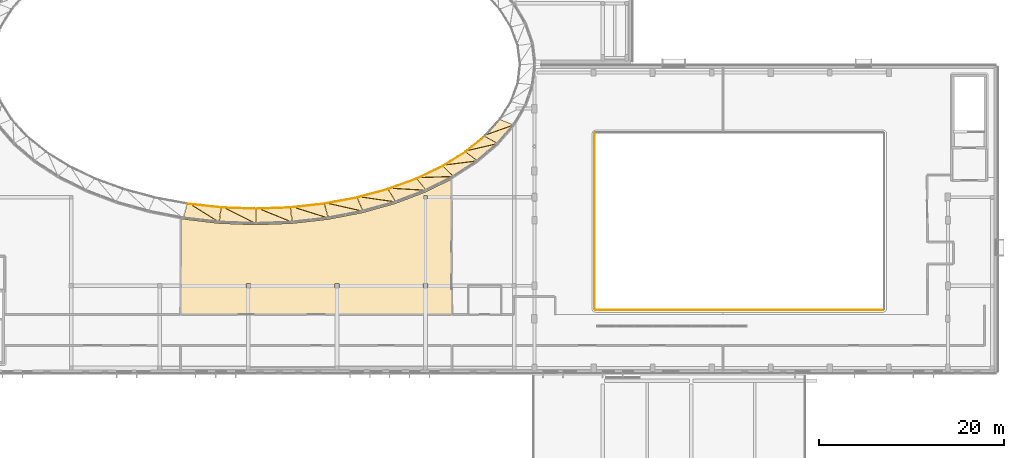
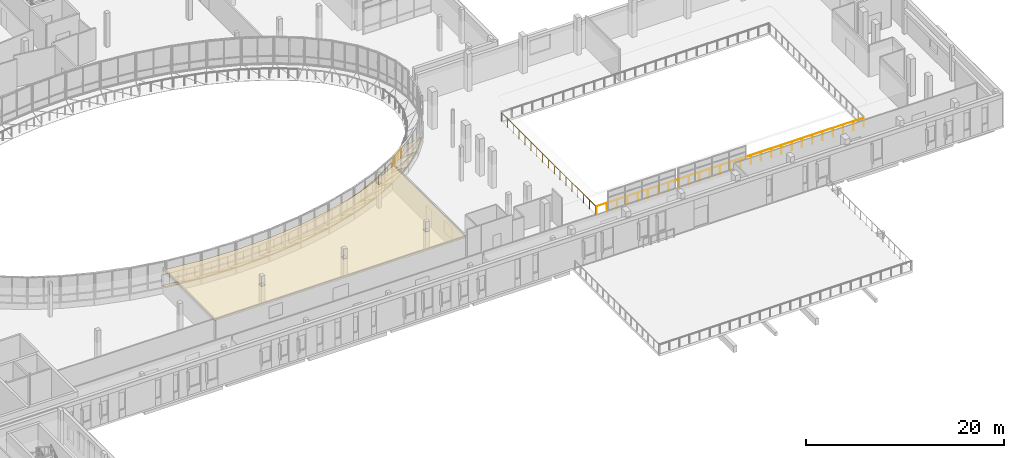
# One storey, part 61 of 73: 23 coverings, 12 railings.
"""IFC4 building model written with IfcOpenShell, lengths in metres."""

from ifc_helpers import new_model, si_unit, direction, frame, origin, origin_2d, place, context, subcontext, project, spatial, polyline, circle, outline, extrude, material, layer, layer_set, type_object, element, save


model = new_model("IFC4")

# Units and contexts
model_context = context("Model", 3, precision=1e-05, world=origin(), true_north=direction((0.0, 1.0)))
body_context = subcontext(model_context, "Body", "Model", "MODEL_VIEW")
ifc_project = project(units=[si_unit("LENGTHUNIT", "METRE"), si_unit("AREAUNIT", "SQUARE_METRE"), si_unit("VOLUMEUNIT", "CUBIC_METRE"), si_unit("PLANEANGLEUNIT", "RADIAN"), si_unit("MASSUNIT", "GRAM", prefix="KILO")], contexts=[model_context])

# Site, building, storey
site_placement = place(None, origin())
site = spatial("IfcSite", under=ifc_project, at=site_placement, CompositionType="ELEMENT")
building_placement = place(site_placement, origin())
building = spatial("IfcBuilding", under=site, at=building_placement, Name="Mzevani Central Library", CompositionType="ELEMENT")
storey_placement = place(building_placement, frame((0.0, 0.0, 9.60009765625)))
storey = spatial("IfcBuildingStorey", under=building, at=storey_placement, Name="L02", CompositionType="ELEMENT", Elevation=9.60009765625)

# Railings
ifc_material_1 = material(Name="Brushed stainless steel rail", Category="steel")
railing_type_1 = type_object("IfcRailingType", Name="Interior Gallery and Stair Guard 1100", PredefinedType="BALUSTRADE", material=ifc_material_1)
railing_1_placement = place(storey_placement, frame((152.0, 49.39990234375, 0.0)))
element("IfcRailing", 1, at=railing_1_placement, inside=storey, type_object=railing_type_1, Name="L02 V1 Double-Height Void Guard 5", PredefinedType="BALUSTRADE", context=body_context, shape_type="SweptSolid", body=[
    extrude(circle(Radius=0.02392578125, at=origin_2d()), frame((0.0, 0.0, 1.076171875), z_axis=(-1.0, 0.0, 0.0), x_axis=(0.0, -1.0, 0.0)), (0.0, 0.0, 1.0), 31.199951171875),
    extrude(circle(Radius=0.02099609375, at=origin_2d()), origin(), (0.0, 0.0, 1.0), 1.052001953125),
    extrude(circle(Radius=0.02099609375, at=origin_2d()), frame((-1.199951171875, 0.0, 0.0)), (0.0, 0.0, 1.0), 1.052001953125),
    extrude(circle(Radius=0.02099609375, at=origin_2d()), frame((-2.39990234375, 0.0, 0.0)), (0.0, 0.0, 1.0), 1.052001953125),
    extrude(circle(Radius=0.02099609375, at=origin_2d()), frame((-3.60009765625, 0.0, 0.0)), (0.0, 0.0, 1.0), 1.052001953125),
    extrude(circle(Radius=0.02099609375, at=origin_2d()), frame((-4.800048828125, 0.0, 0.0)), (0.0, 0.0, 1.0), 1.052001953125),
    extrude(circle(Radius=0.02099609375, at=origin_2d()), frame((-6.0, 0.0, 0.0)), (0.0, 0.0, 1.0), 1.052001953125),
    extrude(circle(Radius=0.02099609375, at=origin_2d()), frame((-7.199951171875, 0.0, 0.0)), (0.0, 0.0, 1.0), 1.052001953125),
    extrude(circle(Radius=0.02099609375, at=origin_2d()), frame((-8.39990234375, 0.0, 0.0)), (0.0, 0.0, 1.0), 1.052001953125),
    extrude(circle(Radius=0.02099609375, at=origin_2d()), frame((-9.60009765625, 0.0, 0.0)), (0.0, 0.0, 1.0), 1.052001953125),
    extrude(circle(Radius=0.02099609375, at=origin_2d()), frame((-10.800048828125, 0.0, 0.0)), (0.0, 0.0, 1.0), 1.052001953125),
    extrude(circle(Radius=0.02099609375, at=origin_2d()), frame((-12.0, 0.0, 0.0)), (0.0, 0.0, 1.0), 1.052001953125),
    extrude(circle(Radius=0.02099609375, at=origin_2d()), frame((-13.199951171875, 0.0, 0.0)), (0.0, 0.0, 1.0), 1.052001953125),
    extrude(circle(Radius=0.02099609375, at=origin_2d()), frame((-14.39990234375, 0.0, 0.0)), (0.0, 0.0, 1.0), 1.052001953125),
    extrude(circle(Radius=0.02099609375, at=origin_2d()), frame((-15.60009765625, 0.0, 0.0)), (0.0, 0.0, 1.0), 1.052001953125),
    extrude(circle(Radius=0.02099609375, at=origin_2d()), frame((-16.800048828125, 0.0, 0.0)), (0.0, 0.0, 1.0), 1.052001953125),
    extrude(circle(Radius=0.02099609375, at=origin_2d()), frame((-18.0, 0.0, 0.0)), (0.0, 0.0, 1.0), 1.052001953125),
    extrude(circle(Radius=0.02099609375, at=origin_2d()), frame((-19.199951171875, 0.0, 0.0)), (0.0, 0.0, 1.0), 1.052001953125),
    extrude(circle(Radius=0.02099609375, at=origin_2d()), frame((-20.39990234375, 0.0, 0.0)), (0.0, 0.0, 1.0), 1.052001953125),
    extrude(circle(Radius=0.02099609375, at=origin_2d()), frame((-21.599853515625, 0.0, 0.0)), (0.0, 0.0, 1.0), 1.052001953125),
    extrude(circle(Radius=0.02099609375, at=origin_2d()), frame((-22.800048828125, 0.0, 0.0)), (0.0, 0.0, 1.0), 1.052001953125),
    extrude(circle(Radius=0.02099609375, at=origin_2d()), frame((-24.0, 0.0, 0.0)), (0.0, 0.0, 1.0), 1.052001953125),
    extrude(circle(Radius=0.02099609375, at=origin_2d()), frame((-25.199951171875, 0.0, 0.0)), (0.0, 0.0, 1.0), 1.052001953125),
    extrude(circle(Radius=0.02099609375, at=origin_2d()), frame((-26.39990234375, 0.0, 0.0)), (0.0, 0.0, 1.0), 1.052001953125),
    extrude(circle(Radius=0.02099609375, at=origin_2d()), frame((-27.599853515625, 0.0, 0.0)), (0.0, 0.0, 1.0), 1.052001953125),
    extrude(circle(Radius=0.02099609375, at=origin_2d()), frame((-28.800048828125, 0.0, 0.0)), (0.0, 0.0, 1.0), 1.052001953125),
    extrude(circle(Radius=0.02099609375, at=origin_2d()), frame((-30.0, 0.0, 0.0)), (0.0, 0.0, 1.0), 1.052001953125),
    extrude(circle(Radius=0.02099609375, at=origin_2d()), frame((-31.199951171875, 0.0, 0.0)), (0.0, 0.0, 1.0), 1.052001953125),
])
railing_2_placement = place(storey_placement, frame((120.699951171875, 49.5, 0.0)))
element("IfcRailing", 2, at=railing_2_placement, inside=storey, type_object=railing_type_1, Name="L02 V1 Double-Height Void Guard 6", PredefinedType="BALUSTRADE", context=body_context, shape_type="SweptSolid", body=[
    extrude(circle(Radius=0.02392578125, at=origin_2d()), frame((0.0, 0.0, 1.076171875), z_axis=(0.0, 1.0, 0.0), x_axis=(-1.0, 0.0, 0.0)), (0.0, 0.0, 1.0), 19.0),
    extrude(circle(Radius=0.02099609375, at=origin_2d()), origin(), (0.0, 0.0, 1.0), 1.052001953125),
    extrude(circle(Radius=0.02099609375, at=origin_2d()), frame((0.0, 1.1875, 0.0)), (0.0, 0.0, 1.0), 1.052001953125),
    extrude(circle(Radius=0.02099609375, at=origin_2d()), frame((0.0, 2.375, 0.0)), (0.0, 0.0, 1.0), 1.052001953125),
    extrude(circle(Radius=0.02099609375, at=origin_2d()), frame((0.0, 3.5625, 0.0)), (0.0, 0.0, 1.0), 1.052001953125),
    extrude(circle(Radius=0.02099609375, at=origin_2d()), frame((0.0, 4.75, 0.0)), (0.0, 0.0, 1.0), 1.052001953125),
    extrude(circle(Radius=0.02099609375, at=origin_2d()), frame((0.0, 5.9375, 0.0)), (0.0, 0.0, 1.0), 1.052001953125),
    extrude(circle(Radius=0.02099609375, at=origin_2d()), frame((0.0, 7.125, 0.0)), (0.0, 0.0, 1.0), 1.052001953125),
    extrude(circle(Radius=0.02099609375, at=origin_2d()), frame((0.0, 8.3125, 0.0)), (0.0, 0.0, 1.0), 1.052001953125),
    extrude(circle(Radius=0.02099609375, at=origin_2d()), frame((0.0, 9.5, 0.0)), (0.0, 0.0, 1.0), 1.052001953125),
    extrude(circle(Radius=0.02099609375, at=origin_2d()), frame((0.0, 10.6875, 0.0)), (0.0, 0.0, 1.0), 1.052001953125),
    extrude(circle(Radius=0.02099609375, at=origin_2d()), frame((0.0, 11.875, 0.0)), (0.0, 0.0, 1.0), 1.052001953125),
    extrude(circle(Radius=0.02099609375, at=origin_2d()), frame((0.0, 13.0625, 0.0)), (0.0, 0.0, 1.0), 1.052001953125),
    extrude(circle(Radius=0.02099609375, at=origin_2d()), frame((0.0, 14.25, 0.0)), (0.0, 0.0, 1.0), 1.052001953125),
    extrude(circle(Radius=0.02099609375, at=origin_2d()), frame((0.0, 15.4375, 0.0)), (0.0, 0.0, 1.0), 1.052001953125),
    extrude(circle(Radius=0.02099609375, at=origin_2d()), frame((0.0, 16.625, 0.0)), (0.0, 0.0, 1.0), 1.052001953125),
    extrude(circle(Radius=0.02099609375, at=origin_2d()), frame((0.0, 17.8125, 0.0)), (0.0, 0.0, 1.0), 1.052001953125),
    extrude(circle(Radius=0.02099609375, at=origin_2d()), frame((0.0, 19.0, 0.0)), (0.0, 0.0, 1.0), 1.052001953125),
])

# Coverings
ifc_material_2 = material(Name="Limestone ashlar cladding", Category="masonry")
ifc_layer_1 = layer(ifc_material_2, 0.050048828125, Name="Limestone Ashlar Spandrel Cladding")
ifc_layer_set_1 = layer_set([ifc_layer_1], Name="Limestone ashlar cladding")
covering_type_1 = type_object("IfcCoveringType", Name="Limestone Ashlar Spandrel Cladding", PredefinedType="CLADDING", material=ifc_layer_set_1)
covering_1_placement = place(storey_placement, frame((76.6220703125, 61.03759765625, -0.280029296875), z_axis=(0.051957783757, 0.481294852268, 0.875017516332), x_axis=(0.994223391298, -0.107330555745, 0.0)))
element("IfcCovering", 3, at=covering_1_placement, inside=storey, type_object=covering_type_1, Name="L02 Curved Court Spandrel Apron 35A", PredefinedType="CLADDING", context=body_context, shape_type="SweptSolid", body=[
    extrude(outline(polyline([(0.0, 0.0), (3.664478807041149, 0.0), (3.593469884194453, -1.983016469628396), (0.0, 0.0)])), origin(), (0.0, 0.0, -1.0), 0.06005859375),
])
covering_2_placement = place(storey_placement, frame((76.6220703125, 61.03759765625, -0.280029296875), z_axis=(0.054665969462, 0.484706978945, 0.872966652481), x_axis=(0.825101574721, -0.514298047368, 0.23389080757)))
element("IfcCovering", 4, at=covering_2_placement, inside=storey, type_object=covering_type_1, Name="L02 Curved Court Spandrel Apron 35B", PredefinedType="CLADDING", context=body_context, shape_type="SweptSolid", body=[
    extrude(outline(polyline([(0.0, 0.0), (4.104312381804041, 0.0), (0.7053504058023538, -1.8572394826315783), (0.0, 0.0)])), origin(), (0.0, 0.0, -1.0), 0.06005859375),
])
covering_3_placement = place(storey_placement, frame((80.283447265625, 60.64013671875, -0.280029296875), z_axis=(0.017179902202, 0.483073398216, 0.875411299274), x_axis=(0.999368209041, -0.035541282461, 0.0)))
element("IfcCovering", 5, at=covering_3_placement, inside=storey, type_object=covering_type_1, Name="L02 Curved Court Spandrel Apron 36A", PredefinedType="CLADDING", context=body_context, shape_type="SweptSolid", body=[
    extrude(outline(polyline([(0.0, 0.0), (3.709374799463256, 0.0), (3.75434651541617, -1.9859392928717825), (0.0, 0.0)])), origin(), (0.0, 0.0, -1.0), 0.06005859375),
])
covering_4_placement = place(storey_placement, frame((80.283447265625, 60.64013671875, -0.280029296875), z_axis=(0.017997150296, 0.484322640256, 0.874704340173), x_axis=(0.868842586772, -0.44048565944, 0.22601978506)))
element("IfcCovering", 6, at=covering_4_placement, inside=storey, type_object=covering_type_1, Name="L02 Curved Court Spandrel Apron 36B", PredefinedType="CLADDING", context=body_context, shape_type="SweptSolid", body=[
    extrude(outline(polyline([(0.0, 0.0), (4.2472429448749, 2.220446049250313e-16), (0.7809598144390548, -1.8273806666917551), (0.0, 0.0)])), origin(), (0.0, 0.0, -1.0), 0.06005859375),
])
covering_5_placement = place(storey_placement, frame((84.009521484375, 60.50830078125, -0.280029296875), z_axis=(-0.017227300997, 0.484406182095, 0.874673579599), x_axis=(0.999368209041, 0.035541282461, 0.0)))
element("IfcCovering", 7, at=covering_5_placement, inside=storey, type_object=covering_type_1, Name="L02 Curved Court Spandrel Apron 37A", PredefinedType="CLADDING", context=body_context, shape_type="SweptSolid", body=[
    extrude(outline(polyline([(0.0, 0.0), (3.709374799463256, 0.0), (3.873497353663545, -1.9804752257905829), (0.0, 0.0)])), origin(), (0.0, 0.0, -1.0), 0.06005859375),
])
covering_6_placement = place(storey_placement, frame((84.009521484375, 60.50830078125, -0.280029296875), z_axis=(-0.017950273585, 0.483061137626, 0.875402607372), x_axis=(0.903960029422, -0.36628675888, 0.220658730798)))
element("IfcCovering", 8, at=covering_6_placement, inside=storey, type_object=covering_type_1, Name="L02 Curved Court Spandrel Apron 37B", PredefinedType="CLADDING", context=body_context, shape_type="SweptSolid", body=[
    extrude(outline(polyline([(0.0, 0.0), (4.35043260708734, 0.0), (0.8640292858951899, -1.7886952572540897), (0.0, 0.0)])), origin(), (0.0, 0.0, -1.0), 0.06005859375),
])
covering_7_placement = place(storey_placement, frame((87.734619140625, 60.644287109375, -0.280029296875), z_axis=(-0.052384233615, 0.485245138571, 0.872807566169), x_axis=(0.994223391298, 0.107330555745, 0.0)))
element("IfcCovering", 9, at=covering_7_placement, inside=storey, type_object=covering_type_1, Name="L02 Curved Court Spandrel Apron 38A", PredefinedType="CLADDING", context=body_context, shape_type="SweptSolid", body=[
    extrude(outline(polyline([(0.0, 0.0), (3.664478807041149, 0.0), (3.9442426855231125, -1.9668731182025665), (0.0, 0.0)])), origin(), (0.0, 0.0, -1.0), 0.06005859375),
])
covering_8_placement = place(storey_placement, frame((87.734619140625, 60.644287109375, -0.280029296875), z_axis=(-0.054244946737, 0.480973894995, 0.875055197166), x_axis=(0.931538707862, -0.291199321355, 0.217804019701)))
element("IfcCovering", 10, at=covering_8_placement, inside=storey, type_object=covering_type_1, Name="L02 Curved Court Spandrel Apron 38B", PredefinedType="CLADDING", context=body_context, shape_type="SweptSolid", body=[
    extrude(outline(polyline([(0.0, 0.0), (4.40745280467193, -2.220446049250313e-16), (0.9484793339520741, -1.7429238477360807), (0.0, 0.0)])), origin(), (0.0, 0.0, -1.0), 0.06005859375),
])
covering_9_placement = place(storey_placement, frame((91.392822265625, 61.044921875, -0.280029296875), z_axis=(-0.089304887527, 0.484668220104, 0.870127205347), x_axis=(0.983444547385, 0.181209332591, 0.0)))
element("IfcCovering", 11, at=covering_9_placement, inside=storey, type_object=covering_type_1, Name="L02 Curved Court Spandrel Apron 39A", PredefinedType="CLADDING", context=body_context, shape_type="SweptSolid", body=[
    extrude(outline(polyline([(0.0, 0.0), (3.577041811841854, 0.0), (3.9628220420097633, -1.9478651797821367), (0.0, 0.0)])), origin(), (0.0, 0.0, -1.0), 0.06005859375),
])
covering_10_placement = place(storey_placement, frame((91.392822265625, 61.044921875, -0.280029296875), z_axis=(-0.091863279563, 0.4772187639, 0.873969901798), x_axis=(0.952142293633, -0.214855406368, 0.217398728214)))
element("IfcCovering", 12, at=covering_10_placement, inside=storey, type_object=covering_type_1, Name="L02 Curved Court Spandrel Apron 39B", PredefinedType="CLADDING", context=body_context, shape_type="SweptSolid", body=[
    extrude(outline(polyline([(0.0, 0.0), (4.415669518345561, -2.7755575615628914e-16), (1.0311403409193853, -1.69286655760646), (0.0, 0.0)])), origin(), (0.0, 0.0, -1.0), 0.06005859375),
])
covering_11_placement = place(storey_placement, frame((94.922119140625, 61.70166015625, -0.280029296875), z_axis=(-0.128844102987, 0.48147192592, 0.866939433684), x_axis=(0.966008995784, 0.258508452598, 0.0)))
element("IfcCovering", 13, at=covering_11_placement, inside=storey, type_object=covering_type_1, Name="L02 Curved Court Spandrel Apron 40A", PredefinedType="CLADDING", context=body_context, shape_type="SweptSolid", body=[
    extrude(outline(polyline([(0.0, 0.0), (3.449022859948867, 0.0), (3.9276906777500953, -1.926033173076437), (0.0, 0.0)])), origin(), (0.0, 0.0, -1.0), 0.06005859375),
])
covering_12_placement = place(storey_placement, frame((94.922119140625, 61.70166015625, -0.280029296875), z_axis=(-0.131614910603, 0.470692272699, 0.872425526752), x_axis=(0.966011703801, -0.136622372806, 0.219444105341)))
element("IfcCovering", 14, at=covering_12_placement, inside=storey, type_object=covering_type_1, Name="L02 Curved Court Spandrel Apron 40B", PredefinedType="CLADDING", context=body_context, shape_type="SweptSolid", body=[
    extrude(outline(polyline([(0.0, 0.0), (4.37451229783114, 1.1102230246251565e-16), (1.1090582115985221, -1.6408605604399886), (0.0, 0.0)])), origin(), (0.0, 0.0, -1.0), 0.06005859375),
])
covering_13_placement = place(storey_placement, frame((98.26220703125, 62.60205078125, -0.280029296875), z_axis=(-0.171799006923, 0.473720409021, 0.863755796101), x_axis=(0.940088141141, 0.340931498819, 0.0)))
element("IfcCovering", 15, at=covering_13_placement, inside=storey, type_object=covering_type_1, Name="L02 Curved Court Spandrel Apron 41A", PredefinedType="CLADDING", context=body_context, shape_type="SweptSolid", body=[
    extrude(outline(polyline([(0.0, 0.0), (3.2854611304077723, -2.220446049250313e-16), (3.8404833083933623, -1.9050221947749868), (0.0, 0.0)])), origin(), (0.0, 0.0, -1.0), 0.06005859375),
])
covering_14_placement = place(storey_placement, frame((98.26220703125, 62.60205078125, -0.280029296875), z_axis=(-0.174213437291, 0.459752838853, 0.870791022826), x_axis=(0.973030265654, -0.055411357163, 0.223923387835)))
element("IfcCovering", 16, at=covering_14_placement, inside=storey, type_object=covering_type_1, Name="L02 Curved Court Spandrel Apron 41B", PredefinedType="CLADDING", context=body_context, shape_type="SweptSolid", body=[
    extrude(outline(polyline([(0.0, 0.0), (4.287006135362221, 5.551115123125783e-17), (1.1808114679982757, -1.589101199834445), (0.0, 0.0)])), origin(), (0.0, 0.0, -1.0), 0.06005859375),
])
covering_15_placement = place(storey_placement, frame((101.35693359375, 63.73046875, -0.280029296875), z_axis=(-0.218536262883, 0.459146895755, 0.861060990827), x_axis=(0.902940744527, 0.429765065905, 0.0)))
element("IfcCovering", 17, at=covering_15_placement, inside=storey, type_object=covering_type_1, Name="L02 Curved Court Spandrel Apron 42A", PredefinedType="CLADDING", context=body_context, shape_type="SweptSolid", body=[
    extrude(outline(polyline([(0.0, 0.0), (3.093191626280768, 2.220446049250313e-16), (3.704407966164319, -1.8878225065620784), (0.0, 0.0)])), origin(), (0.0, 0.0, -1.0), 0.06005859375),
])
covering_16_placement = place(storey_placement, frame((101.35693359375, 63.73046875, -0.280029296875), z_axis=(-0.220005433826, 0.442390294141, 0.869418447433), x_axis=(0.972521349113, 0.029888501793, 0.230887208351)))
element("IfcCovering", 18, at=covering_16_placement, inside=storey, type_object=covering_type_1, Name="L02 Curved Court Spandrel Apron 42B", PredefinedType="CLADDING", context=body_context, shape_type="SweptSolid", body=[
    extrude(outline(polyline([(0.0, 0.0), (4.157705159828435, -5.551115123125783e-17), (1.2444848473757262, -1.5398591193421156), (0.0, 0.0)])), origin(), (0.0, 0.0, -1.0), 0.06005859375),
])
covering_17_placement = place(storey_placement, frame((104.154052734375, 65.0673828125, -0.280029296875), z_axis=(-0.269018704057, 0.434701990305, 0.859455127678), x_axis=(0.850337388032, 0.526237899162, 0.0)))
element("IfcCovering", 19, at=covering_17_placement, inside=storey, type_object=covering_type_1, Name="L02 Curved Court Spandrel Apron 43A", PredefinedType="CLADDING", context=body_context, shape_type="SweptSolid", body=[
    extrude(outline(polyline([(0.0, 0.0), (2.8805776684630735, 2.220446049250313e-16), (3.523213192518316, -1.877816744370433), (0.0, 0.0)])), origin(), (0.0, 0.0, -1.0), 0.06005859375),
])
covering_18_placement = place(storey_placement, frame((104.154052734375, 65.0673828125, -0.280029296875), z_axis=(-0.268977316909, 0.415966964045, 0.86869021395), x_axis=(0.963134596497, 0.120651718025, 0.240447316408)))
element("IfcCovering", 20, at=covering_18_placement, inside=storey, type_object=covering_type_1, Name="L02 Curved Court Spandrel Apron 43B", PredefinedType="CLADDING", context=body_context, shape_type="SweptSolid", body=[
    extrude(outline(polyline([(0.0, 0.0), (3.9923961383326025, 0.0), (1.2985175550072325, -1.4956330761785224), (0.0, 0.0)])), origin(), (0.0, 0.0, -1.0), 0.06005859375),
])
covering_19_placement = place(storey_placement, frame((106.6064453125, 66.59033203125, -0.280029296875), z_axis=(-0.322181179898, 0.396696722234, 0.859552789472), x_axis=(0.776243179452, 0.63043360186, 0.0)))
element("IfcCovering", 21, at=covering_19_placement, inside=storey, type_object=covering_type_1, Name="L02 Curved Court Spandrel Apron 44A", PredefinedType="CLADDING", context=body_context, shape_type="SweptSolid", body=[
    extrude(outline(polyline([(0.0, 0.0), (2.6589152708638646, 0.0), (3.3020010174115466, -1.8784201847681783), (0.0, 0.0)])), origin(), (0.0, 0.0, -1.0), 0.06005859375),
])
covering_20_placement = place(storey_placement, frame((106.6064453125, 66.59033203125, -0.280029296875), z_axis=(-0.320223987826, 0.377355530653, 0.868941540673), x_axis=(0.942654644699, 0.218054759303, 0.252694168459)))
element("IfcCovering", 22, at=covering_20_placement, inside=storey, type_object=covering_type_1, Name="L02 Curved Court Spandrel Apron 44B", PredefinedType="CLADDING", context=body_context, shape_type="SweptSolid", body=[
    extrude(outline(polyline([(0.0, 0.0), (3.798904198519805, -1.1102230246251565e-16), (1.3403287729435043, -1.4599433727248126), (0.0, 0.0)])), origin(), (0.0, 0.0, -1.0), 0.06005859375),
])
covering_21_placement = place(storey_placement, frame((108.67236328125, 68.273193359375, -0.280029296875), z_axis=(-0.375526113915, 0.341249088124, 0.861701338993), x_axis=(0.67252356476, 0.740075708858, 0.0)))
element("IfcCovering", 23, at=covering_21_placement, inside=storey, type_object=covering_type_1, Name="L02 Curved Court Spandrel Apron 45A", PredefinedType="CLADDING", context=body_context, shape_type="SweptSolid", body=[
    extrude(outline(polyline([(0.0, 0.0), (2.44313581314485, 0.0), (3.0483768182166786, -1.8918624962991712), (0.0, 0.0)])), origin(), (0.0, 0.0, -1.0), 0.06005859375),
])
covering_22_placement = place(storey_placement, frame((108.67236328125, 68.273193359375, -0.280029296875), z_axis=(-0.37162785601, 0.323168492768, 0.87031882774), x_axis=(0.907704758208, 0.323232446322, 0.267568416618)))
element("IfcCovering", 24, at=covering_22_placement, inside=storey, type_object=covering_type_1, Name="L02 Curved Court Spandrel Apron 45B", PredefinedType="CLADDING", context=body_context, shape_type="SweptSolid", body=[
    extrude(outline(polyline([(0.0, 0.0), (3.5877214120865313, 0.0), (1.367189582306149, -1.4369921714750196), (0.0, 0.0)])), origin(), (0.0, 0.0, -1.0), 0.06005859375),
])
ifc_material_3 = material(Name="Mineral wool acoustic ceiling")
ifc_layer_2 = layer(ifc_material_3, 0.0400390625, Name="Perforated Timber Acoustic Ceiling")
ifc_layer_set_2 = layer_set([ifc_layer_2], Name="Mineral wool acoustic ceiling")
covering_type_2 = type_object("IfcCoveringType", Name="Perforated Timber Acoustic Ceiling", PredefinedType="CEILING", material=ifc_layer_set_2)
covering_23_placement = place(storey_placement, frame((0.0, 0.0, 2.949951171875)))
element("IfcCovering", 25, at=covering_23_placement, inside=storey, type_object=covering_type_2, Name="L02 Art and Architecture Folio Salon Acoustic Ceiling", PredefinedType="CEILING", context=body_context, shape_type="SweptSolid", body=[
    extrude(outline(polyline([(75.86328125, 59.261474609375), (80.04248046875, 58.765625), (83.98583984375, 58.617919921875), (87.92919921875, 58.763427734375), (91.8056640625, 59.19970703125), (95.550048828125, 59.919189453125), (99.09912109375, 60.910400390625), (102.3935546875, 62.156982421875), (105.253173828125, 63.573974609375), (105.259521484375, 48.877197265625), (75.862060546875, 48.870361328125), (75.86328125, 59.261474609375)]), holes=[polyline([(83.425048828125, 51.77490234375), (83.425048828125, 52.22509765625), (82.97509765625, 52.22509765625), (82.97509765625, 51.77490234375), (83.425048828125, 51.77490234375)]), polyline([(92.574951171875, 51.77490234375), (93.02490234375, 51.77490234375), (93.02490234375, 52.22509765625), (92.574951171875, 52.22509765625), (92.574951171875, 51.77490234375)]), polyline([(102.175048828125, 52.22509765625), (102.175048828125, 51.77490234375), (102.625, 51.77490234375), (102.625, 52.22509765625), (102.175048828125, 52.22509765625)]), polyline([(102.574951171875, 61.77490234375), (102.22509765625, 61.77490234375), (102.22509765625, 61.425048828125), (102.574951171875, 61.425048828125), (102.574951171875, 61.77490234375)])]), origin(), (0.0, 0.0, 1.0), 0.0400390625),
])

# Railings
ifc_material_4 = material(Name="Anodized architectural bronze")
railing_type_2 = type_object("IfcRailingType", Name="Terrace and Court Balustrade 1100", PredefinedType="BALUSTRADE", material=ifc_material_4)
railing_3_placement = place(storey_placement, frame((76.56689453125, 60.887451171875, 0.0)))
element("IfcRailing", 26, at=railing_3_placement, inside=storey, type_object=railing_type_2, Name="L02 Elliptical Court Terrace Guard 35", PredefinedType="BALUSTRADE", context=body_context, shape_type="SweptSolid", body=[
    extrude(circle(Radius=0.02392578125, at=origin_2d()), frame((0.0, 0.0, 1.076171875), z_axis=(0.994224158715, -0.107323446776, 0.0), x_axis=(0.107323446776, 0.994224158715, 0.0)), (0.0, 0.0, 1.0), 3.664794921875),
    extrude(circle(Radius=0.02099609375, at=origin_2d()), origin(), (0.0, 0.0, 1.0), 1.052001953125),
    extrude(circle(Radius=0.02099609375, at=origin_2d()), frame((0.910888671875, -0.098388671875, 0.0)), (0.0, 0.0, 1.0), 1.052001953125),
    extrude(circle(Radius=0.02099609375, at=origin_2d()), frame((1.82177734375, -0.19677734375, 0.0)), (0.0, 0.0, 1.0), 1.052001953125),
    extrude(circle(Radius=0.02099609375, at=origin_2d()), frame((2.732666015625, -0.294921875, 0.0)), (0.0, 0.0, 1.0), 1.052001953125),
    extrude(circle(Radius=0.02099609375, at=origin_2d()), frame((3.6435546875, -0.393310546875, 0.0)), (0.0, 0.0, 1.0), 1.052001953125),
])
railing_4_placement = place(storey_placement, frame((80.264404296875, 60.481201171875, 0.0)))
element("IfcRailing", 27, at=railing_4_placement, inside=storey, type_object=railing_type_2, Name="L02 Elliptical Court Terrace Guard 36", PredefinedType="BALUSTRADE", context=body_context, shape_type="SweptSolid", body=[
    extrude(circle(Radius=0.02392578125, at=origin_2d()), frame((0.0, 0.0, 1.076171875), z_axis=(0.999368125893, -0.035543620364, 0.0), x_axis=(0.035543620364, 0.999368125893, 0.0)), (0.0, 0.0, 1.0), 3.709228515625),
    extrude(circle(Radius=0.02099609375, at=origin_2d()), origin(), (0.0, 0.0, 1.0), 1.052001953125),
    extrude(circle(Radius=0.02099609375, at=origin_2d()), frame((0.9267578125, -0.032958984375, 0.0)), (0.0, 0.0, 1.0), 1.052001953125),
    extrude(circle(Radius=0.02099609375, at=origin_2d()), frame((1.853515625, -0.06591796875, 0.0)), (0.0, 0.0, 1.0), 1.052001953125),
    extrude(circle(Radius=0.02099609375, at=origin_2d()), frame((2.780029296875, -0.098876953125, 0.0)), (0.0, 0.0, 1.0), 1.052001953125),
    extrude(circle(Radius=0.02099609375, at=origin_2d()), frame((3.706787109375, -0.1318359375, 0.0)), (0.0, 0.0, 1.0), 1.052001953125),
])
railing_5_placement = place(storey_placement, frame((84.02880859375, 60.349365234375, 0.0)))
element("IfcRailing", 28, at=railing_5_placement, inside=storey, type_object=railing_type_2, Name="L02 Elliptical Court Terrace Guard 37", PredefinedType="BALUSTRADE", context=body_context, shape_type="SweptSolid", body=[
    extrude(circle(Radius=0.02392578125, at=origin_2d()), frame((0.0, 0.0, 1.076171875), z_axis=(0.999368125893, 0.035543620364, 0.0), x_axis=(-0.035543620364, 0.999368125893, 0.0)), (0.0, 0.0, 1.0), 3.709228515625),
    extrude(circle(Radius=0.02099609375, at=origin_2d()), origin(), (0.0, 0.0, 1.0), 1.052001953125),
    extrude(circle(Radius=0.02099609375, at=origin_2d()), frame((0.9267578125, 0.032958984375, 0.0)), (0.0, 0.0, 1.0), 1.052001953125),
    extrude(circle(Radius=0.02099609375, at=origin_2d()), frame((1.853515625, 0.06591796875, 0.0)), (0.0, 0.0, 1.0), 1.052001953125),
    extrude(circle(Radius=0.02099609375, at=origin_2d()), frame((2.780029296875, 0.098876953125, 0.0)), (0.0, 0.0, 1.0), 1.052001953125),
    extrude(circle(Radius=0.02099609375, at=origin_2d()), frame((3.706787109375, 0.1318359375, 0.0)), (0.0, 0.0, 1.0), 1.052001953125),
])
railing_6_placement = place(storey_placement, frame((87.78955078125, 60.494140625, 0.0)))
element("IfcRailing", 29, at=railing_6_placement, inside=storey, type_object=railing_type_2, Name="L02 Elliptical Court Terrace Guard 38", PredefinedType="BALUSTRADE", context=body_context, shape_type="SweptSolid", body=[
    extrude(circle(Radius=0.02392578125, at=origin_2d()), frame((0.0, 0.0, 1.076171875), z_axis=(0.994224158715, 0.107323446776, 0.0), x_axis=(-0.107323446776, 0.994224158715, 0.0)), (0.0, 0.0, 1.0), 3.664794921875),
    extrude(circle(Radius=0.02099609375, at=origin_2d()), origin(), (0.0, 0.0, 1.0), 1.052001953125),
    extrude(circle(Radius=0.02099609375, at=origin_2d()), frame((0.910888671875, 0.098388671875, 0.0)), (0.0, 0.0, 1.0), 1.052001953125),
    extrude(circle(Radius=0.02099609375, at=origin_2d()), frame((1.82177734375, 0.19677734375, 0.0)), (0.0, 0.0, 1.0), 1.052001953125),
    extrude(circle(Radius=0.02099609375, at=origin_2d()), frame((2.732666015625, 0.294921875, 0.0)), (0.0, 0.0, 1.0), 1.052001953125),
    extrude(circle(Radius=0.02099609375, at=origin_2d()), frame((3.6435546875, 0.393310546875, 0.0)), (0.0, 0.0, 1.0), 1.052001953125),
])
railing_7_placement = place(storey_placement, frame((91.477783203125, 60.909423828125, 0.0)))
element("IfcRailing", 30, at=railing_7_placement, inside=storey, type_object=railing_type_2, Name="L02 Elliptical Court Terrace Guard 39", PredefinedType="BALUSTRADE", context=body_context, shape_type="SweptSolid", body=[
    extrude(circle(Radius=0.02392578125, at=origin_2d()), frame((0.0, 0.0, 1.076171875), z_axis=(0.983456708482, 0.181143320446, 0.0), x_axis=(-0.181143320446, 0.983456708482, 0.0)), (0.0, 0.0, 1.0), 3.576904296875),
    extrude(circle(Radius=0.02099609375, at=origin_2d()), origin(), (0.0, 0.0, 1.0), 1.052001953125),
    extrude(circle(Radius=0.02099609375, at=origin_2d()), frame((1.172607421875, 0.216064453125, 0.0)), (0.0, 0.0, 1.0), 1.052001953125),
    extrude(circle(Radius=0.02099609375, at=origin_2d()), frame((2.34521484375, 0.431884765625, 0.0)), (0.0, 0.0, 1.0), 1.052001953125),
    extrude(circle(Radius=0.02099609375, at=origin_2d()), frame((3.517822265625, 0.64794921875, 0.0)), (0.0, 0.0, 1.0), 1.052001953125),
])
railing_8_placement = place(storey_placement, frame((95.029541015625, 61.583251953125, 0.0)))
element("IfcRailing", 31, at=railing_8_placement, inside=storey, type_object=railing_type_2, Name="L02 Elliptical Court Terrace Guard 40", PredefinedType="BALUSTRADE", context=body_context, shape_type="SweptSolid", body=[
    extrude(circle(Radius=0.02392578125, at=origin_2d()), frame((0.0, 0.0, 1.076171875), z_axis=(0.966008995784, 0.258508452598, 0.0), x_axis=(-0.258508452598, 0.966008995784, 0.0)), (0.0, 0.0, 1.0), 3.448974609375),
    extrude(circle(Radius=0.02099609375, at=origin_2d()), origin(), (0.0, 0.0, 1.0), 1.052001953125),
    extrude(circle(Radius=0.02099609375, at=origin_2d()), frame((1.110595703125, 0.297119140625, 0.0)), (0.0, 0.0, 1.0), 1.052001953125),
    extrude(circle(Radius=0.02099609375, at=origin_2d()), frame((2.22119140625, 0.594482421875, 0.0)), (0.0, 0.0, 1.0), 1.052001953125),
    extrude(circle(Radius=0.02099609375, at=origin_2d()), frame((3.331787109375, 0.8916015625, 0.0)), (0.0, 0.0, 1.0), 1.052001953125),
])
railing_9_placement = place(storey_placement, frame((98.38623046875, 62.501220703125, 0.0)))
element("IfcRailing", 32, at=railing_9_placement, inside=storey, type_object=railing_type_2, Name="L02 Elliptical Court Terrace Guard 41", PredefinedType="BALUSTRADE", context=body_context, shape_type="SweptSolid", body=[
    extrude(circle(Radius=0.02392578125, at=origin_2d()), frame((0.0, 0.0, 1.076171875), z_axis=(0.940096777535, 0.340907683792, 0.0), x_axis=(-0.340907683792, 0.940096777535, 0.0)), (0.0, 0.0, 1.0), 3.28564453125),
    extrude(circle(Radius=0.02099609375, at=origin_2d()), origin(), (0.0, 0.0, 1.0), 1.052001953125),
    extrude(circle(Radius=0.02099609375, at=origin_2d()), frame((1.029541015625, 0.373291015625, 0.0)), (0.0, 0.0, 1.0), 1.052001953125),
    extrude(circle(Radius=0.02099609375, at=origin_2d()), frame((2.059326171875, 0.746826171875, 0.0)), (0.0, 0.0, 1.0), 1.052001953125),
    extrude(circle(Radius=0.02099609375, at=origin_2d()), frame((3.0888671875, 1.1201171875, 0.0)), (0.0, 0.0, 1.0), 1.052001953125),
])
railing_10_placement = place(storey_placement, frame((101.492919921875, 63.646240234375, 0.0)))
element("IfcRailing", 33, at=railing_10_placement, inside=storey, type_object=railing_type_2, Name="L02 Elliptical Court Terrace Guard 42", PredefinedType="BALUSTRADE", context=body_context, shape_type="SweptSolid", body=[
    extrude(circle(Radius=0.02392578125, at=origin_2d()), frame((0.0, 0.0, 1.076171875), z_axis=(0.902940744527, 0.429765065905, 0.0), x_axis=(-0.429765065905, 0.902940744527, 0.0)), (0.0, 0.0, 1.0), 3.09326171875),
    extrude(circle(Radius=0.02099609375, at=origin_2d()), origin(), (0.0, 0.0, 1.0), 1.052001953125),
    extrude(circle(Radius=0.02099609375, at=origin_2d()), frame((0.930908203125, 0.443115234375, 0.0)), (0.0, 0.0, 1.0), 1.052001953125),
    extrude(circle(Radius=0.02099609375, at=origin_2d()), frame((1.862060546875, 0.88623046875, 0.0)), (0.0, 0.0, 1.0), 1.052001953125),
    extrude(circle(Radius=0.02099609375, at=origin_2d()), frame((2.79296875, 1.329345703125, 0.0)), (0.0, 0.0, 1.0), 1.052001953125),
])
railing_11_placement = place(storey_placement, frame((104.298583984375, 64.998779296875, 0.0)))
element("IfcRailing", 34, at=railing_11_placement, inside=storey, type_object=railing_type_2, Name="L02 Elliptical Court Terrace Guard 43", PredefinedType="BALUSTRADE", context=body_context, shape_type="SweptSolid", body=[
    extrude(circle(Radius=0.02392578125, at=origin_2d()), frame((0.0, 0.0, 1.076171875), z_axis=(0.850351844492, 0.526214538538, 0.0), x_axis=(-0.526214538538, 0.850351844492, 0.0)), (0.0, 0.0, 1.0), 2.880126953125),
    extrude(circle(Radius=0.02099609375, at=origin_2d()), origin(), (0.0, 0.0, 1.0), 1.052001953125),
    extrude(circle(Radius=0.02099609375, at=origin_2d()), frame((0.81640625, 0.505126953125, 0.0)), (0.0, 0.0, 1.0), 1.052001953125),
    extrude(circle(Radius=0.02099609375, at=origin_2d()), frame((1.6328125, 1.010498046875, 0.0)), (0.0, 0.0, 1.0), 1.052001953125),
    extrude(circle(Radius=0.02099609375, at=origin_2d()), frame((2.44921875, 1.515625, 0.0)), (0.0, 0.0, 1.0), 1.052001953125),
])
railing_12_placement = place(storey_placement, frame((106.7568359375, 66.535888671875, 0.0)))
element("IfcRailing", 35, at=railing_12_placement, inside=storey, type_object=railing_type_2, Name="L02 Elliptical Court Terrace Guard 44", PredefinedType="BALUSTRADE", context=body_context, shape_type="SweptSolid", body=[
    extrude(circle(Radius=0.02392578125, at=origin_2d()), frame((0.0, 0.0, 1.076171875), z_axis=(0.776288113836, 0.630378270816, 0.0), x_axis=(-0.630378270816, 0.776288113836, 0.0)), (0.0, 0.0, 1.0), 2.65869140625),
    extrude(circle(Radius=0.02099609375, at=origin_2d()), origin(), (0.0, 0.0, 1.0), 1.052001953125),
    extrude(circle(Radius=0.02099609375, at=origin_2d()), frame((0.68798828125, 0.55859375, 0.0)), (0.0, 0.0, 1.0), 1.052001953125),
    extrude(circle(Radius=0.02099609375, at=origin_2d()), frame((1.3759765625, 1.117431640625, 0.0)), (0.0, 0.0, 1.0), 1.052001953125),
    extrude(circle(Radius=0.02099609375, at=origin_2d()), frame((2.06396484375, 1.676025390625, 0.0)), (0.0, 0.0, 1.0), 1.052001953125),
])

save(model, "model.ifc")
